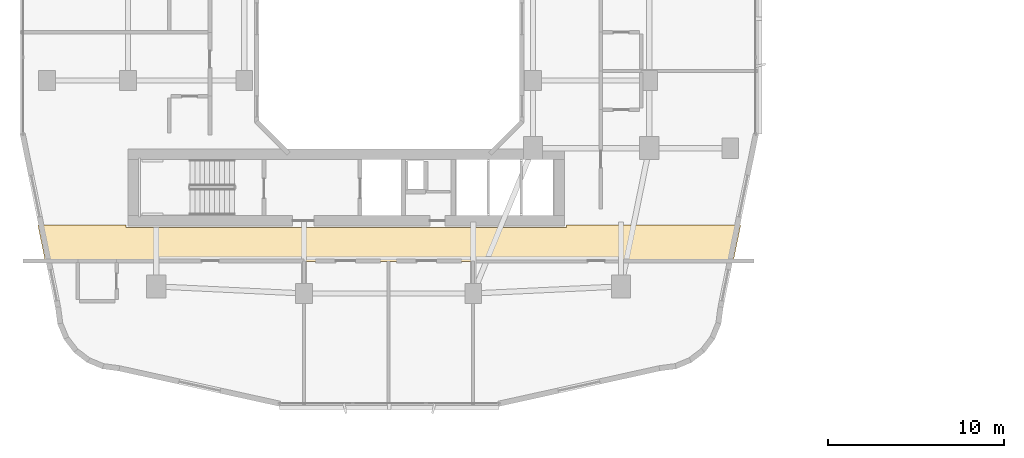
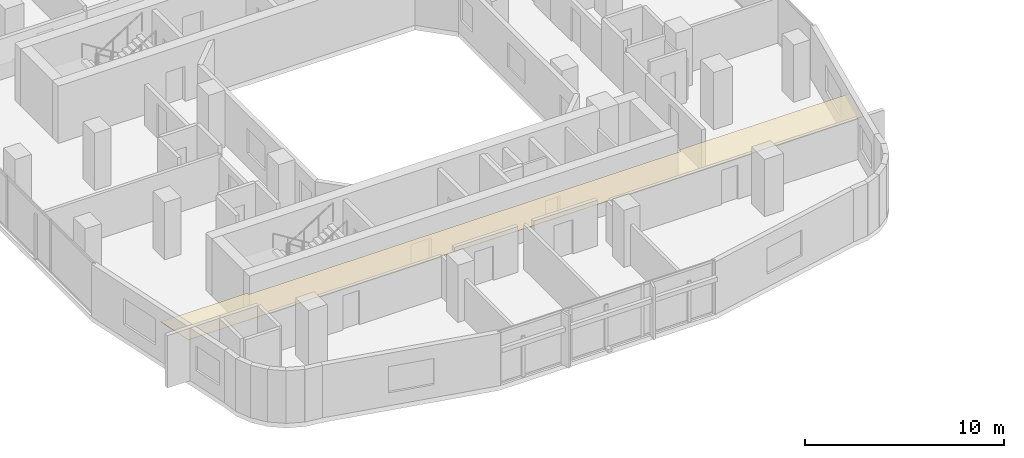
# One storey, part 23 of 26: 1 covering.
"""IFC4 building model written with IfcOpenShell, lengths in metres."""

from ifc_helpers import new_model, si_unit, derived_unit, direction, frame, origin, place, context, subcontext, project, spatial, polyline, outline, extrude, material, layer, layer_set, type_object, element, save


model = new_model("IFC4")

# Units and contexts
model_context = context("Model", 3, precision=1e-05, world=origin(), true_north=direction((0.0, 1.0)))
body_context = subcontext(model_context, "Body", "Model", "MODEL_VIEW")
ifc_project = project(units=[si_unit("LENGTHUNIT", "METRE"), si_unit("AREAUNIT", "SQUARE_METRE"), si_unit("VOLUMEUNIT", "CUBIC_METRE"), si_unit("PLANEANGLEUNIT", "RADIAN"), si_unit("MASSUNIT", "GRAM", prefix="KILO"), derived_unit("THERMALTRANSMITTANCEUNIT", [(si_unit("POWERUNIT", "WATT"), 1), (si_unit("LENGTHUNIT", "METRE"), -2), (si_unit("THERMODYNAMICTEMPERATUREUNIT", "KELVIN"), -1)])], contexts=[model_context])

# Site, building, storey
site_placement = place(None, origin())
site = spatial("IfcSite", under=ifc_project, at=site_placement, CompositionType="ELEMENT")
building_placement = place(site_placement, origin())
building = spatial("IfcBuilding", under=site, at=building_placement, Name="Kivonza Crest Hotel", CompositionType="ELEMENT")
storey_placement = place(building_placement, frame((0.0, 0.0, 55.5)))
storey = spatial("IfcBuildingStorey", under=building, at=storey_placement, Name="L14", CompositionType="ELEMENT", Elevation=55.5)

# Covering
ifc_material = material(Name="Mineral-fibre acoustic ceiling tile", Category="gypsum")
ifc_layer = layer(ifc_material, 0.02490234375)
ifc_layer_set = layer_set([ifc_layer], Name="Mineral-fibre acoustic ceiling tile")
covering_type = type_object("IfcCoveringType", Name="CV-CEIL-ACOU", PredefinedType="CEILING", material=ifc_layer_set)
covering_placement = place(storey_placement, frame((0.0, 0.0, 2.449951171875)))
element("IfcCovering", 1, at=covering_placement, inside=storey, type_object=covering_type, Name="L14 Hotel South Guest Corridor suspended ceiling", PredefinedType="CEILING", context=body_context, shape_type="SweptSolid", body=[
    extrude(outline(polyline([(31.10009765625, 13.2900390625), (31.10009765625, 13.139892578125), (6.10009765625, 13.139892578125), (6.10009765625, 13.280029296875), (1.083984375, 13.280029296875), (1.506103515625, 11.2099609375), (40.573974609375, 11.2099609375), (40.99609375, 13.280029296875), (33.090087890625, 13.280029296875), (33.090087890625, 13.2900390625), (31.10009765625, 13.2900390625)])), origin(), (0.0, 0.0, 1.0), 0.025146484375),
])

save(model, "model.ifc")
